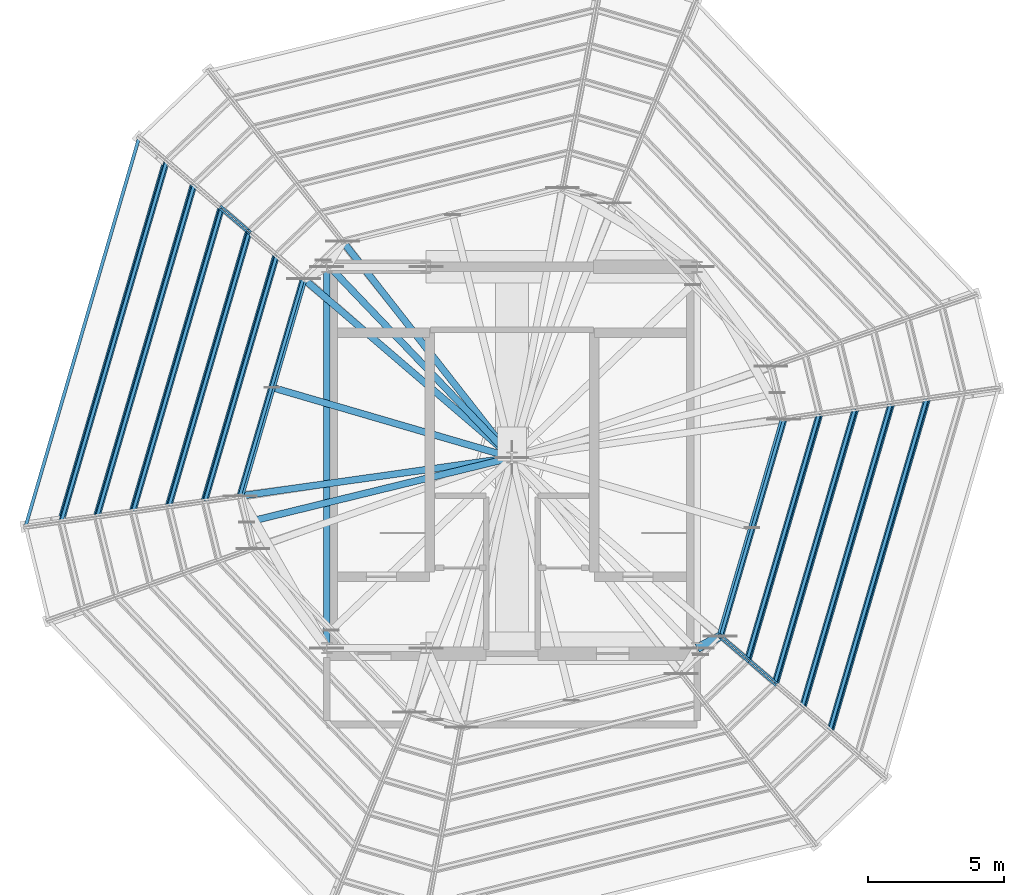
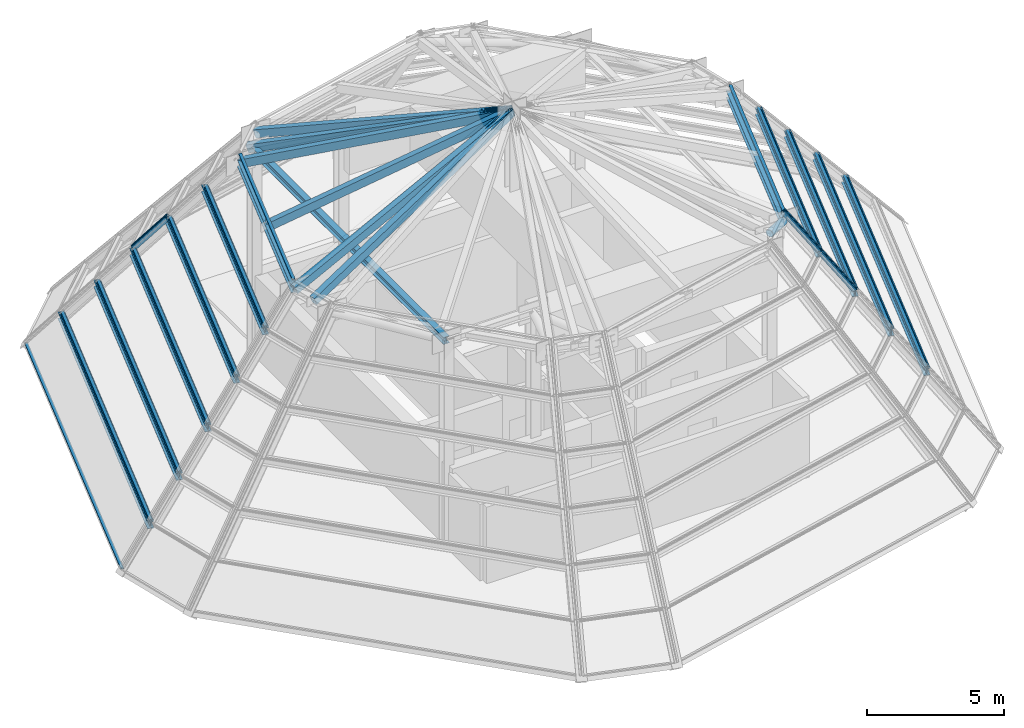
# One storey, part 5 of 13: 34 members, 12 beams, 14 elements without a shape of their own.
"""IFC4 building model written with IfcOpenShell, lengths in metres."""

from ifc_helpers import new_model, si_unit, direction, frame, origin, origin_2d, place, context, subcontext, project, spatial, hollow_rectangle, hollow_circle, i_section, extrude, source, transform, mapped, material, layer, layer_set, material_profile, profile_set, type_object, element, aggregate, save


model = new_model("IFC4")

# Units and contexts
model_context = context("Model", 3, precision=1e-05, world=origin(), true_north=direction((0.0, 1.0)))
body_context = subcontext(model_context, "Body", "Model", "MODEL_VIEW")
ifc_project = project(units=[si_unit("LENGTHUNIT", "METRE"), si_unit("AREAUNIT", "SQUARE_METRE"), si_unit("VOLUMEUNIT", "CUBIC_METRE"), si_unit("PLANEANGLEUNIT", "RADIAN"), si_unit("MASSUNIT", "GRAM", prefix="KILO")], contexts=[model_context])

# Site, building, storey
site_placement = place(None, origin())
site = spatial("IfcSite", under=ifc_project, at=site_placement, CompositionType="ELEMENT")
building_placement = place(site_placement, origin())
building = spatial("IfcBuilding", under=site, at=building_placement, Name="Veraguas Prism Commons", CompositionType="ELEMENT")
storey_placement = place(building_placement, frame((0.0, 0.0, 268.89990234375)))
storey = spatial("IfcBuildingStorey", under=building, at=storey_placement, Name="RF", CompositionType="ELEMENT", Elevation=268.89990234375)

# Member
ifc_material_1 = material(Name="Steel ASTM A500 Grade C", Category="steel")
ifc_material_profile_1 = material_profile(ifc_material_1, hollow_circle(Radius=0.162109375, WallThickness=0.01611328125, at=origin_2d()), Name="CHS324X16")
ifc_profile_set_1 = profile_set([ifc_material_profile_1], Name="Steel ASTM A500 Grade C")
member_type_1 = type_object("IfcMemberType", Name="Crown Apex Collar Strut CHS 324x16", PredefinedType="STRUT", material=ifc_profile_set_1)
member_1_placement = place(storey_placement, frame((31.647705078125, 17.440673828125, 9.067138671875), z_axis=(-0.887262821216, -0.461264225892, 0.0), x_axis=(0.461264225892, -0.887262821216, 0.0)))
element("IfcMember", 1, at=member_1_placement, inside=storey, type_object=member_type_1, Name="Crown Apex Collar Strut 12", PredefinedType="STRUT", context=body_context, shape_type="SweptSolid", body=[
    extrude(hollow_circle(Radius=0.162109375, WallThickness=0.01611328125, at=origin_2d()), origin(), (0.0, 0.0, 1.0), 0.955322265625),
])

# Beams
ifc_material_2 = material(Name="Steel ASTM A992 Grade 50", Category="steel")
ifc_material_profile_2 = material_profile(ifc_material_2, i_section(OverallWidth=0.25390625, OverallDepth=0.305908203125, WebThickness=0.0087890625, FlangeThickness=0.0146484375, at=origin_2d()), Name="W310X79")
ifc_profile_set_2 = profile_set([ifc_material_profile_2], Name="Steel ASTM A992 Grade 50")
beam_type = type_object("IfcBeamType", Name="Crown Ring Spandrel W310x79", PredefinedType="SPANDREL", material=ifc_profile_set_2)
beam_1_placement = place(storey_placement, frame((17.199951171875, 17.0, 9.067138671875), z_axis=(0.0, 1.0, 0.0), x_axis=(-1.0, 0.0, 0.0)))
element("IfcBeam", 2, at=beam_1_placement, inside=storey, type_object=beam_type, Name="Crown Apex Ring Beam 5", PredefinedType="SPANDREL", context=body_context, shape_type="SweptSolid", body=[
    extrude(i_section(OverallWidth=0.25390625, OverallDepth=0.305908203125, WebThickness=0.0087890625, FlangeThickness=0.0146484375, at=origin_2d()), origin(), (0.0, 0.0, 1.0), 14.0),
])
beam_2_placement = place(storey_placement, frame((11.302001953125, 34.89111328125, 1.430419921875), z_axis=(-0.28033787531, -0.959901388512, 0.0), x_axis=(0.959901388512, -0.28033787531, 0.0)))
element("IfcBeam", 3, at=beam_2_placement, inside=storey, type_object=beam_type, Name="Crown Facet Ring Beam T1-V06", PredefinedType="SPANDREL", context=body_context, shape_type="SweptSolid", body=[
    extrude(i_section(OverallWidth=0.25390625, OverallDepth=0.305908203125, WebThickness=0.0087890625, FlangeThickness=0.0146484375, at=origin_2d()), origin(), (0.0, 0.0, 1.0), 13.78955078125),
])
beam_3_placement = place(storey_placement, frame((12.31201171875, 34.02490234375, 3.013916015625), z_axis=(-0.280325711049, -0.959904940984, 0.0), x_axis=(0.959904940984, -0.280325711049, 0.0)))
element("IfcBeam", 4, at=beam_3_placement, inside=storey, type_object=beam_type, Name="Crown Facet Ring Beam T2-V06", PredefinedType="SPANDREL", context=body_context, shape_type="SweptSolid", body=[
    extrude(i_section(OverallWidth=0.25390625, OverallDepth=0.305908203125, WebThickness=0.0087890625, FlangeThickness=0.0146484375, at=origin_2d()), origin(), (0.0, 0.0, 1.0), 12.69287109375),
])
beam_4_placement = place(storey_placement, frame((13.322021484375, 33.158447265625, 4.59716796875), z_axis=(-0.280336310594, -0.959901845483, 0.0), x_axis=(0.959901845483, -0.280336310594, 0.0)))
element("IfcBeam", 5, at=beam_4_placement, inside=storey, type_object=beam_type, Name="Crown Facet Ring Beam T3-V06", PredefinedType="SPANDREL", context=body_context, shape_type="SweptSolid", body=[
    extrude(i_section(OverallWidth=0.25390625, OverallDepth=0.305908203125, WebThickness=0.0087890625, FlangeThickness=0.0146484375, at=origin_2d()), origin(), (0.0, 0.0, 1.0), 11.595947265625),
])
beam_5_placement = place(storey_placement, frame((14.33203125, 32.2919921875, 6.180419921875), z_axis=(-0.280333956025, -0.959902533125, 0.0), x_axis=(0.959902533125, -0.280333956025, 0.0)))
element("IfcBeam", 6, at=beam_5_placement, inside=storey, type_object=beam_type, Name="Crown Facet Ring Beam T4-V06", PredefinedType="SPANDREL", context=body_context, shape_type="SweptSolid", body=[
    extrude(i_section(OverallWidth=0.25390625, OverallDepth=0.305908203125, WebThickness=0.0087890625, FlangeThickness=0.0146484375, at=origin_2d()), origin(), (0.0, 0.0, 1.0), 10.49853515625),
])
beam_6_placement = place(storey_placement, frame((15.34228515625, 31.42578125, 7.763916015625), z_axis=(-0.280341003298, -0.959900474982, 0.0), x_axis=(0.959900474982, -0.280341003298, 0.0)))
element("IfcBeam", 7, at=beam_6_placement, inside=storey, type_object=beam_type, Name="Crown Facet Ring Beam T5-V06", PredefinedType="SPANDREL", context=body_context, shape_type="SweptSolid", body=[
    extrude(i_section(OverallWidth=0.25390625, OverallDepth=0.305908203125, WebThickness=0.0087890625, FlangeThickness=0.0146484375, at=origin_2d()), origin(), (0.0, 0.0, 1.0), 9.40185546875),
])
beam_7_placement = place(storey_placement, frame((16.352294921875, 30.559326171875, 9.067138671875), z_axis=(-0.280330736022, -0.959903473502, 0.0), x_axis=(0.959903473502, -0.280330736022, 0.0)))
element("IfcBeam", 8, at=beam_7_placement, inside=storey, type_object=beam_type, Name="Crown Facet Ring Beam T6-V06", PredefinedType="SPANDREL", context=body_context, shape_type="SweptSolid", body=[
    extrude(i_section(OverallWidth=0.25390625, OverallDepth=0.305908203125, WebThickness=0.0087890625, FlangeThickness=0.0146484375, at=origin_2d()), origin(), (0.0, 0.0, 1.0), 8.304931640625),
])
beam_8_placement = place(storey_placement, frame((35.68798828125, 13.97509765625, 3.013916015625), z_axis=(0.280325711049, 0.959904940984, 0.0), x_axis=(-0.959904940984, 0.280325711049, 0.0)))
element("IfcBeam", 9, at=beam_8_placement, inside=storey, type_object=beam_type, Name="Crown Facet Ring Beam T2-V12", PredefinedType="SPANDREL", context=body_context, shape_type="SweptSolid", body=[
    extrude(i_section(OverallWidth=0.25390625, OverallDepth=0.305908203125, WebThickness=0.0087890625, FlangeThickness=0.0146484375, at=origin_2d()), origin(), (0.0, 0.0, 1.0), 12.69287109375),
])
beam_9_placement = place(storey_placement, frame((34.677978515625, 14.841552734375, 4.59716796875), z_axis=(0.280336310594, 0.959901845483, 0.0), x_axis=(-0.959901845483, 0.280336310594, 0.0)))
element("IfcBeam", 10, at=beam_9_placement, inside=storey, type_object=beam_type, Name="Crown Facet Ring Beam T3-V12", PredefinedType="SPANDREL", context=body_context, shape_type="SweptSolid", body=[
    extrude(i_section(OverallWidth=0.25390625, OverallDepth=0.305908203125, WebThickness=0.0087890625, FlangeThickness=0.0146484375, at=origin_2d()), origin(), (0.0, 0.0, 1.0), 11.595947265625),
])
beam_10_placement = place(storey_placement, frame((33.66796875, 15.7080078125, 6.180419921875), z_axis=(0.280333956025, 0.959902533125, 0.0), x_axis=(-0.959902533125, 0.280333956025, 0.0)))
element("IfcBeam", 11, at=beam_10_placement, inside=storey, type_object=beam_type, Name="Crown Facet Ring Beam T4-V12", PredefinedType="SPANDREL", context=body_context, shape_type="SweptSolid", body=[
    extrude(i_section(OverallWidth=0.25390625, OverallDepth=0.305908203125, WebThickness=0.0087890625, FlangeThickness=0.0146484375, at=origin_2d()), origin(), (0.0, 0.0, 1.0), 10.49853515625),
])
beam_11_placement = place(storey_placement, frame((32.65771484375, 16.57421875, 7.763916015625), z_axis=(0.280341003298, 0.959900474982, 0.0), x_axis=(-0.959900474982, 0.280341003298, 0.0)))
element("IfcBeam", 12, at=beam_11_placement, inside=storey, type_object=beam_type, Name="Crown Facet Ring Beam T5-V12", PredefinedType="SPANDREL", context=body_context, shape_type="SweptSolid", body=[
    extrude(i_section(OverallWidth=0.25390625, OverallDepth=0.305908203125, WebThickness=0.0087890625, FlangeThickness=0.0146484375, at=origin_2d()), origin(), (0.0, 0.0, 1.0), 9.40185546875),
])
beam_12_placement = place(storey_placement, frame((31.647705078125, 17.440673828125, 9.067138671875), z_axis=(0.280330736022, 0.959903473502, 0.0), x_axis=(-0.959903473502, 0.280330736022, 0.0)))
element("IfcBeam", 13, at=beam_12_placement, inside=storey, type_object=beam_type, Name="Crown Facet Ring Beam T6-V12", PredefinedType="SPANDREL", context=body_context, shape_type="SweptSolid", body=[
    extrude(i_section(OverallWidth=0.25390625, OverallDepth=0.305908203125, WebThickness=0.0087890625, FlangeThickness=0.0146484375, at=origin_2d()), origin(), (0.0, 0.0, 1.0), 8.304931640625),
])

# Members
ifc_material_profile_3 = material_profile(ifc_material_1, hollow_rectangle(XDim=0.25, YDim=0.35009765625, WallThickness=0.01611328125, at=origin_2d()), Name="HSS350X250X16")
ifc_profile_set_3 = profile_set([ifc_material_profile_3], Name="Steel ASTM A500 Grade C")
member_type_2 = type_object("IfcMemberType", Name="Glass Point Crown Rib HSS 350x250x16", PredefinedType="RAFTER", material=ifc_profile_set_3)
member_2_placement = place(storey_placement, frame((17.788818359375, 31.93310546875, 9.067138671875), z_axis=(0.580837256523, -0.741862576685, 0.335064171091), x_axis=(0.787376639644, 0.616472243774, 0.0)))
element("IfcMember", 14, at=member_2_placement, inside=storey, type_object=member_type_2, Name="Crown Pyramidal Hip Rafter 05", PredefinedType="RAFTER", context=body_context, shape_type="SweptSolid", body=[
    extrude(hollow_rectangle(XDim=0.25, YDim=0.35009765625, WallThickness=0.01611328125, at=origin_2d()), origin(), (0.0, 0.0, 1.0), 10.693603515625),
])
member_3_placement = place(storey_placement, frame((17.070556640625, 31.24609375, 9.067138671875), z_axis=(0.650828414762, -0.680568909211, 0.336523898638), x_axis=(0.722721706456, 0.691139157491, 0.0)))
element("IfcMember", 15, at=member_3_placement, inside=storey, type_object=member_type_2, Name="Crown Pyramidal Mid Rafter 05", PredefinedType="RAFTER", context=body_context, shape_type="SweptSolid", body=[
    extrude(hollow_rectangle(XDim=0.25, YDim=0.35009765625, WallThickness=0.01611328125, at=origin_2d()), origin(), (0.0, 0.0, 1.0), 10.647216796875),
])
member_4_placement = place(storey_placement, frame((16.352294921875, 30.559326171875, 9.067138671875), z_axis=(0.715175884153, -0.613396024886, 0.335065324049), x_axis=(0.651028810726, 0.759053020285, 0.0)))
element("IfcMember", 16, at=member_4_placement, inside=storey, type_object=member_type_2, Name="Crown Pyramidal Hip Rafter 06", PredefinedType="RAFTER", context=body_context, shape_type="SweptSolid", body=[
    extrude(hollow_rectangle(XDim=0.25, YDim=0.35009765625, WallThickness=0.01611328125, at=origin_2d()), origin(), (0.0, 0.0, 1.0), 10.693359375),
])
member_5_placement = place(storey_placement, frame((15.188232421875, 26.573486328125, 9.067138671875), z_axis=(0.894201663487, -0.261152570715, 0.36359691944), x_axis=(0.280340060642, 0.959900750286, 0.0)))
element("IfcMember", 17, at=member_5_placement, inside=storey, type_object=member_type_2, Name="Crown Pyramidal Mid Rafter 06", PredefinedType="RAFTER", context=body_context, shape_type="SweptSolid", body=[
    extrude(hollow_rectangle(XDim=0.25, YDim=0.35009765625, WallThickness=0.01611328125, at=origin_2d()), origin(), (0.0, 0.0, 1.0), 9.854248046875),
])
member_6_placement = place(storey_placement, frame((14.024169921875, 22.58740234375, 9.067138671875), z_axis=(0.932888822786, 0.132098938563, 0.335064642647), x_axis=(-0.140203374759, 0.990122726588, 0.0)))
element("IfcMember", 18, at=member_6_placement, inside=storey, type_object=member_type_2, Name="Crown Pyramidal Hip Rafter 07", PredefinedType="RAFTER", context=body_context, shape_type="SweptSolid", body=[
    extrude(hollow_rectangle(XDim=0.25, YDim=0.35009765625, WallThickness=0.01611328125, at=origin_2d()), origin(), (0.0, 0.0, 1.0), 10.693603515625),
])
member_7_placement = place(storey_placement, frame((14.259765625, 21.6220703125, 9.067138671875), z_axis=(0.914809280623, 0.223336735344, 0.336518473091), x_axis=(-0.237169185892, 0.971468361432, 0.0)))
element("IfcMember", 19, at=member_7_placement, inside=storey, type_object=member_type_2, Name="Crown Pyramidal Mid Rafter 07", PredefinedType="RAFTER", context=body_context, shape_type="SweptSolid", body=[
    extrude(hollow_rectangle(XDim=0.25, YDim=0.35009765625, WallThickness=0.01611328125, at=origin_2d()), origin(), (0.0, 0.0, 1.0), 10.647216796875),
])

# Curtain wall, member
ifc_material_3 = material(Name="Anodised aluminium EN AW-6063 T6", Category="aluminium")
ifc_layer = layer(ifc_material_3, 0.199951171875, Name="Faceted Glass Point Crown Curtain Wall", Category="aluminium")
ifc_layer_set = layer_set([ifc_layer], Name="Anodised aluminium EN AW-6063 T6")
curtain_wall_type = type_object("IfcCurtainWallType", Name="Faceted Glass Point Crown Curtain Wall", PredefinedType="NOTDEFINED", material=ifc_layer_set)
curtain_wall_1_placement = place(storey_placement, origin())
curtain_wall_1 = element("IfcCurtainWall", 20, at=curtain_wall_1_placement, inside=storey, type_object=curtain_wall_type, Name="Crown Glass-Point Facet T4-F05", PredefinedType="NOTDEFINED")
ifc_material_profile_4 = material_profile(ifc_material_3, hollow_rectangle(XDim=0.06494140625, YDim=0.199951171875, WallThickness=0.00390625, at=origin_2d()), Name="AL65X200X4")
ifc_profile_set_4 = profile_set([ifc_material_profile_4], Name="Anodised aluminium EN AW-6063 T6")
member_type_3 = type_object("IfcMemberType", Name="Curtain Wall Mullion Heavy AL 65x200x4", PredefinedType="MULLION", material=ifc_profile_set_4)
shared_shape_1 = source(origin(), body_context, "Body", "SweptSolid", [
    extrude(hollow_rectangle(XDim=0.06494140625, YDim=0.199951171875, WallThickness=0.00390625, at=origin_2d()), origin(), (0.0, 0.0, 1.0), 2.068359375),
])
member_8_placement = place(storey_placement, frame((13.360107421875, 33.194580078125, 4.75), z_axis=(0.488326405053, -0.418801567592, 0.765599483484), x_axis=(0.651002894994, 0.759075247066, 0.0)))
member_8 = element("IfcMember", 21, at=member_8_placement, type_object=member_type_3, Name="CW-CRN Mullion 2", PredefinedType="MULLION", context=body_context, shape_type="MappedRepresentation", body=[
    mapped(shared_shape_1, transform((0.0, 0.0, 0.0), scale=1.0)),
])
aggregate(curtain_wall_1, [member_8])

curtain_wall_2_placement = place(storey_placement, origin())
curtain_wall_2 = element("IfcCurtainWall", 22, at=curtain_wall_2_placement, inside=storey, type_object=curtain_wall_type, Name="Crown Glass-Point Facet T4-F06", PredefinedType="NOTDEFINED")
member_9_placement = place(storey_placement, frame((13.307373046875, 33.10791015625, 4.75), z_axis=(0.488326405053, -0.418801567592, 0.765599483484), x_axis=(0.651002894994, 0.759075247066, 0.0)))
member_9 = element("IfcMember", 23, at=member_9_placement, type_object=member_type_3, Name="CW-CRN Mullion 1", PredefinedType="MULLION", context=body_context, shape_type="MappedRepresentation", body=[
    mapped(shared_shape_1, transform((0.0, 0.0, 0.0), scale=1.0)),
])

curtain_wall_3_placement = place(storey_placement, origin())
curtain_wall_3 = element("IfcCurtainWall", 24, at=curtain_wall_3_placement, inside=storey, type_object=curtain_wall_type, Name="Crown Glass-Point Facet T6-F11", PredefinedType="NOTDEFINED")
member_10_placement = place(storey_placement, frame((32.619873046875, 16.537841796875, 7.916748046875), z_axis=(-0.488436273944, 0.418912599378, 0.765468641016), x_axis=(-0.65101794313, -0.759062341131, 0.0)))
member_10 = element("IfcMember", 25, at=member_10_placement, type_object=member_type_3, Name="CW-CRN Mullion 2", PredefinedType="MULLION", context=body_context, shape_type="MappedRepresentation", body=[
    mapped(shared_shape_1, transform((0.0, 0.0, 0.0), scale=1.0)),
])
aggregate(curtain_wall_3, [member_10])

curtain_wall_4_placement = place(storey_placement, origin())
curtain_wall_4 = element("IfcCurtainWall", 26, at=curtain_wall_4_placement, inside=storey, type_object=curtain_wall_type, Name="Crown Glass-Point Facet T6-F12", PredefinedType="NOTDEFINED")
member_11_placement = place(storey_placement, frame((32.672607421875, 16.62451171875, 7.916748046875), z_axis=(-0.488436273944, 0.418912599378, 0.765468641016), x_axis=(-0.65101794313, -0.759062341131, 0.0)))
member_11 = element("IfcMember", 27, at=member_11_placement, type_object=member_type_3, Name="CW-CRN Mullion 1", PredefinedType="MULLION", context=body_context, shape_type="MappedRepresentation", body=[
    mapped(shared_shape_1, transform((0.0, 0.0, 0.0), scale=1.0)),
])

# Curtain wall, members
curtain_wall_5_placement = place(storey_placement, origin())
curtain_wall_5 = element("IfcCurtainWall", 28, at=curtain_wall_5_placement, inside=storey, type_object=curtain_wall_type, Name="Crown Glass-Point Facet T1-F06", PredefinedType="NOTDEFINED")
ifc_material_profile_5 = material_profile(ifc_material_3, hollow_rectangle(XDim=0.050048828125, YDim=0.1201171875, WallThickness=0.0029296875, at=origin_2d()), Name="AL50X120X3")
ifc_profile_set_5 = profile_set([ifc_material_profile_5], Name="Anodised aluminium EN AW-6063 T6")
member_type_4 = type_object("IfcMemberType", Name="Curtain Wall Transom Crown AL 50x120x3", PredefinedType="USERDEFINED", material=ifc_profile_set_5)
shared_shape_2 = source(origin(), body_context, "Body", "SweptSolid", [
    extrude(hollow_rectangle(XDim=0.050048828125, YDim=0.1201171875, WallThickness=0.0029296875, at=origin_2d()), origin(), (0.0, 0.0, 1.0), 14.76416015625),
])
member_12_placement = place(storey_placement, frame((10.293212890625, 35.693359375, 0.025146484375), z_axis=(-0.280335889845, -0.959901968362, 0.0), x_axis=(0.0, 0.0, 1.0)))
member_12 = element("IfcMember", 29, at=member_12_placement, type_object=member_type_4, Name="CW-CRN Transom 1", ObjectType="TRANSOM", PredefinedType="USERDEFINED", context=body_context, shape_type="MappedRepresentation", body=[
    mapped(shared_shape_2, transform((0.0, 0.0, 0.0), scale=1.0)),
])
shared_shape_3 = source(origin(), body_context, "Body", "SweptSolid", [
    extrude(hollow_rectangle(XDim=0.050048828125, YDim=0.1201171875, WallThickness=0.0029296875, at=origin_2d()), origin(), (0.0, 0.0, 1.0), 13.701904296875),
])
member_13_placement = place(storey_placement, frame((11.271240234375, 34.8544921875, 1.558349609375), z_axis=(-0.280329087365, -0.959903954975, 0.0), x_axis=(0.0, 0.0, 1.0)))
member_13 = element("IfcMember", 30, at=member_13_placement, type_object=member_type_4, Name="CW-CRN Transom 2", ObjectType="TRANSOM", PredefinedType="USERDEFINED", context=body_context, shape_type="MappedRepresentation", body=[
    mapped(shared_shape_3, transform((0.0, 0.0, 0.0), scale=1.0)),
])
aggregate(curtain_wall_5, [member_12, member_13])

# Curtain wall, member
curtain_wall_6_placement = place(storey_placement, origin())
curtain_wall_6 = element("IfcCurtainWall", 31, at=curtain_wall_6_placement, inside=storey, type_object=curtain_wall_type, Name="Crown Glass-Point Facet T5-F11", PredefinedType="NOTDEFINED")
shared_shape_4 = source(origin(), body_context, "Body", "SweptSolid", [
    extrude(hollow_rectangle(XDim=0.06494140625, YDim=0.199951171875, WallThickness=0.00390625, at=origin_2d()), origin(), (0.0, 0.0, 1.0), 2.068115234375),
])
member_14_placement = place(storey_placement, frame((33.6298828125, 15.671630859375, 6.33349609375), z_axis=(-0.488370537897, 0.41883941708, 0.765550625638), x_axis=(-0.651002894994, -0.759075247066, 0.0)))
member_14 = element("IfcMember", 32, at=member_14_placement, type_object=member_type_3, Name="CW-CRN Mullion 2", PredefinedType="MULLION", context=body_context, shape_type="MappedRepresentation", body=[
    mapped(shared_shape_4, transform((0.0, 0.0, 0.0), scale=1.0)),
])
aggregate(curtain_wall_6, [member_14])

curtain_wall_7_placement = place(storey_placement, origin())
curtain_wall_7 = element("IfcCurtainWall", 33, at=curtain_wall_7_placement, inside=storey, type_object=curtain_wall_type, Name="Crown Glass-Point Facet T5-F12", PredefinedType="NOTDEFINED")
member_15_placement = place(storey_placement, frame((33.6826171875, 15.75830078125, 6.33349609375), z_axis=(-0.488370537897, 0.41883941708, 0.765550625638), x_axis=(-0.651002894994, -0.759075247066, 0.0)))
member_15 = element("IfcMember", 34, at=member_15_placement, type_object=member_type_3, Name="CW-CRN Mullion 1", PredefinedType="MULLION", context=body_context, shape_type="MappedRepresentation", body=[
    mapped(shared_shape_4, transform((0.0, 0.0, 0.0), scale=1.0)),
])

# Curtain wall, members
curtain_wall_8_placement = place(storey_placement, origin())
curtain_wall_8 = element("IfcCurtainWall", 35, at=curtain_wall_8_placement, inside=storey, type_object=curtain_wall_type, Name="Crown Glass-Point Facet T2-F06", PredefinedType="NOTDEFINED")
shared_shape_5 = source(origin(), body_context, "Body", "SweptSolid", [
    extrude(hollow_rectangle(XDim=0.050048828125, YDim=0.1201171875, WallThickness=0.0029296875, at=origin_2d()), origin(), (0.0, 0.0, 1.0), 13.667236328125),
])
member_16_placement = place(storey_placement, frame((11.30322265625, 34.826904296875, 1.6083984375), z_axis=(-0.280329240433, -0.959903910273, 0.0), x_axis=(0.0, 0.0, 1.0)))
member_16 = element("IfcMember", 36, at=member_16_placement, type_object=member_type_4, Name="CW-CRN Transom 1", ObjectType="TRANSOM", PredefinedType="USERDEFINED", context=body_context, shape_type="MappedRepresentation", body=[
    mapped(shared_shape_5, transform((0.0, 0.0, 0.0), scale=1.0)),
])
shared_shape_6 = source(origin(), body_context, "Body", "SweptSolid", [
    extrude(hollow_rectangle(XDim=0.050048828125, YDim=0.1201171875, WallThickness=0.0029296875, at=origin_2d()), origin(), (0.0, 0.0, 1.0), 12.604736328125),
])
member_17_placement = place(storey_placement, frame((12.28125, 33.988037109375, 3.141845703125), z_axis=(-0.280326497448, -0.959904711327, 0.0), x_axis=(0.0, 0.0, 1.0)))
member_17 = element("IfcMember", 37, at=member_17_placement, type_object=member_type_4, Name="CW-CRN Transom 2", ObjectType="TRANSOM", PredefinedType="USERDEFINED", context=body_context, shape_type="MappedRepresentation", body=[
    mapped(shared_shape_6, transform((0.0, 0.0, 0.0), scale=1.0)),
])
aggregate(curtain_wall_8, [member_16, member_17])

# Curtain wall, member
curtain_wall_9_placement = place(storey_placement, origin())
curtain_wall_9 = element("IfcCurtainWall", 38, at=curtain_wall_9_placement, inside=storey, type_object=curtain_wall_type, Name="Crown Glass-Point Facet T2-F12", PredefinedType="NOTDEFINED")
member_18_placement = place(storey_placement, frame((35.71875, 14.011962890625, 3.141845703125), z_axis=(0.280326497448, 0.959904711327, 0.0), x_axis=(0.0, 0.0, 1.0)))
member_18 = element("IfcMember", 39, at=member_18_placement, type_object=member_type_4, Name="CW-CRN Transom 2", ObjectType="TRANSOM", PredefinedType="USERDEFINED", context=body_context, shape_type="MappedRepresentation", body=[
    mapped(shared_shape_6, transform((0.0, 0.0, 0.0), scale=1.0)),
])
aggregate(curtain_wall_9, [member_18])

curtain_wall_10_placement = place(storey_placement, origin())
curtain_wall_10 = element("IfcCurtainWall", 40, at=curtain_wall_10_placement, inside=storey, type_object=curtain_wall_type, Name="Crown Glass-Point Facet T3-F06", PredefinedType="NOTDEFINED")
shared_shape_7 = source(origin(), body_context, "Body", "SweptSolid", [
    extrude(hollow_rectangle(XDim=0.050048828125, YDim=0.1201171875, WallThickness=0.0029296875, at=origin_2d()), origin(), (0.0, 0.0, 1.0), 12.5703125),
])
member_19_placement = place(storey_placement, frame((12.313232421875, 33.960693359375, 3.19189453125), z_axis=(-0.280339326328, -0.959900964743, 0.0), x_axis=(0.0, 0.0, 1.0)))
member_19 = element("IfcMember", 41, at=member_19_placement, type_object=member_type_4, Name="CW-CRN Transom 1", ObjectType="TRANSOM", PredefinedType="USERDEFINED", context=body_context, shape_type="MappedRepresentation", body=[
    mapped(shared_shape_7, transform((0.0, 0.0, 0.0), scale=1.0)),
])

curtain_wall_11_placement = place(storey_placement, origin())
curtain_wall_11 = element("IfcCurtainWall", 42, at=curtain_wall_11_placement, inside=storey, type_object=curtain_wall_type, Name="Crown Glass-Point Facet T3-F12", PredefinedType="NOTDEFINED")
member_20_placement = place(storey_placement, frame((35.686767578125, 14.039306640625, 3.19189453125), z_axis=(0.280339326328, 0.959900964743, 0.0), x_axis=(0.0, 0.0, 1.0)))
member_20 = element("IfcMember", 43, at=member_20_placement, type_object=member_type_4, Name="CW-CRN Transom 1", ObjectType="TRANSOM", PredefinedType="USERDEFINED", context=body_context, shape_type="MappedRepresentation", body=[
    mapped(shared_shape_7, transform((0.0, 0.0, 0.0), scale=1.0)),
])

# Member
shared_shape_8 = source(origin(), body_context, "Body", "SweptSolid", [
    extrude(hollow_rectangle(XDim=0.050048828125, YDim=0.1201171875, WallThickness=0.0029296875, at=origin_2d()), origin(), (0.0, 0.0, 1.0), 11.5078125),
])
member_21_placement = place(storey_placement, frame((13.29150390625, 33.12158203125, 4.72509765625), z_axis=(-0.280337253003, -0.959901570255, 0.0), x_axis=(0.0, 0.0, 1.0)))
member_21 = element("IfcMember", 44, at=member_21_placement, type_object=member_type_4, Name="CW-CRN Transom 2", ObjectType="TRANSOM", PredefinedType="USERDEFINED", context=body_context, shape_type="MappedRepresentation", body=[
    mapped(shared_shape_8, transform((0.0, 0.0, 0.0), scale=1.0)),
])

aggregate(curtain_wall_10, [member_19, member_21])

member_22_placement = place(storey_placement, frame((34.70849609375, 14.87841796875, 4.72509765625), z_axis=(0.280337253003, 0.959901570255, 0.0), x_axis=(0.0, 0.0, 1.0)))
member_22 = element("IfcMember", 45, at=member_22_placement, type_object=member_type_4, Name="CW-CRN Transom 2", ObjectType="TRANSOM", PredefinedType="USERDEFINED", context=body_context, shape_type="MappedRepresentation", body=[
    mapped(shared_shape_8, transform((0.0, 0.0, 0.0), scale=1.0)),
])

aggregate(curtain_wall_11, [member_20, member_22])

shared_shape_9 = source(origin(), body_context, "Body", "SweptSolid", [
    extrude(hollow_rectangle(XDim=0.050048828125, YDim=0.1201171875, WallThickness=0.0029296875, at=origin_2d()), origin(), (0.0, 0.0, 1.0), 10.4111328125),
])
member_23_placement = place(storey_placement, frame((14.301513671875, 32.25537109375, 6.308349609375), z_axis=(-0.280343964422, -0.959899610174, 0.0), x_axis=(0.0, 0.0, 1.0)))
member_23 = element("IfcMember", 46, at=member_23_placement, type_object=member_type_4, Name="CW-CRN Transom 2", ObjectType="TRANSOM", PredefinedType="USERDEFINED", context=body_context, shape_type="MappedRepresentation", body=[
    mapped(shared_shape_9, transform((0.0, 0.0, 0.0), scale=1.0)),
])

# Curtain wall, member
curtain_wall_12_placement = place(storey_placement, origin())
curtain_wall_12 = element("IfcCurtainWall", 47, at=curtain_wall_12_placement, inside=storey, type_object=curtain_wall_type, Name="Crown Glass-Point Facet T4-F12", PredefinedType="NOTDEFINED")
member_24_placement = place(storey_placement, frame((33.698486328125, 15.74462890625, 6.308349609375), z_axis=(0.280343964422, 0.959899610174, 0.0), x_axis=(0.0, 0.0, 1.0)))
member_24 = element("IfcMember", 48, at=member_24_placement, type_object=member_type_4, Name="CW-CRN Transom 2", ObjectType="TRANSOM", PredefinedType="USERDEFINED", context=body_context, shape_type="MappedRepresentation", body=[
    mapped(shared_shape_9, transform((0.0, 0.0, 0.0), scale=1.0)),
])

# Member
shared_shape_10 = source(origin(), body_context, "Body", "SweptSolid", [
    extrude(hollow_rectangle(XDim=0.050048828125, YDim=0.1201171875, WallThickness=0.0029296875, at=origin_2d()), origin(), (0.0, 0.0, 1.0), 11.47314453125),
])
member_25_placement = place(storey_placement, frame((13.3232421875, 33.09423828125, 4.775146484375), z_axis=(-0.280331733992, -0.959903182054, 0.0), x_axis=(0.0, 0.0, 1.0)))
member_25 = element("IfcMember", 49, at=member_25_placement, type_object=member_type_4, Name="CW-CRN Transom 1", ObjectType="TRANSOM", PredefinedType="USERDEFINED", context=body_context, shape_type="MappedRepresentation", body=[
    mapped(shared_shape_10, transform((0.0, 0.0, 0.0), scale=1.0)),
])

aggregate(curtain_wall_2, [member_9, member_25, member_23])

member_26_placement = place(storey_placement, frame((34.6767578125, 14.90576171875, 4.775146484375), z_axis=(0.280331733992, 0.959903182054, 0.0), x_axis=(0.0, 0.0, 1.0)))
member_26 = element("IfcMember", 50, at=member_26_placement, type_object=member_type_4, Name="CW-CRN Transom 1", ObjectType="TRANSOM", PredefinedType="USERDEFINED", context=body_context, shape_type="MappedRepresentation", body=[
    mapped(shared_shape_10, transform((0.0, 0.0, 0.0), scale=1.0)),
])

aggregate(curtain_wall_12, [member_26, member_24])

# Curtain wall, member
curtain_wall_13_placement = place(storey_placement, origin())
curtain_wall_13 = element("IfcCurtainWall", 51, at=curtain_wall_13_placement, inside=storey, type_object=curtain_wall_type, Name="Crown Glass-Point Facet T5-F06", PredefinedType="NOTDEFINED")
shared_shape_11 = source(origin(), body_context, "Body", "SweptSolid", [
    extrude(hollow_rectangle(XDim=0.050048828125, YDim=0.1201171875, WallThickness=0.0029296875, at=origin_2d()), origin(), (0.0, 0.0, 1.0), 10.37646484375),
])
member_27_placement = place(storey_placement, frame((14.333251953125, 32.22802734375, 6.3583984375), z_axis=(-0.280316205206, -0.95990771697, 0.0), x_axis=(0.0, 0.0, 1.0)))
member_27 = element("IfcMember", 52, at=member_27_placement, type_object=member_type_4, Name="CW-CRN Transom 1", ObjectType="TRANSOM", PredefinedType="USERDEFINED", context=body_context, shape_type="MappedRepresentation", body=[
    mapped(shared_shape_11, transform((0.0, 0.0, 0.0), scale=1.0)),
])

# Member
member_28_placement = place(storey_placement, frame((33.666748046875, 15.77197265625, 6.3583984375), z_axis=(0.280316205206, 0.95990771697, 0.0), x_axis=(0.0, 0.0, 1.0)))
member_28 = element("IfcMember", 53, at=member_28_placement, type_object=member_type_4, Name="CW-CRN Transom 1", ObjectType="TRANSOM", PredefinedType="USERDEFINED", context=body_context, shape_type="MappedRepresentation", body=[
    mapped(shared_shape_11, transform((0.0, 0.0, 0.0), scale=1.0)),
])

shared_shape_12 = source(origin(), body_context, "Body", "SweptSolid", [
    extrude(hollow_rectangle(XDim=0.050048828125, YDim=0.1201171875, WallThickness=0.0029296875, at=origin_2d()), origin(), (0.0, 0.0, 1.0), 9.314453125),
])
member_29_placement = place(storey_placement, frame((15.3115234375, 31.38916015625, 7.891845703125), z_axis=(-0.280328105136, -0.959904241823, 0.0), x_axis=(0.0, 0.0, 1.0)))
member_29 = element("IfcMember", 54, at=member_29_placement, type_object=member_type_4, Name="CW-CRN Transom 2", ObjectType="TRANSOM", PredefinedType="USERDEFINED", context=body_context, shape_type="MappedRepresentation", body=[
    mapped(shared_shape_12, transform((0.0, 0.0, 0.0), scale=1.0)),
])

aggregate(curtain_wall_13, [member_27, member_29])

member_30_placement = place(storey_placement, frame((32.6884765625, 16.61083984375, 7.891845703125), z_axis=(0.280328105136, 0.959904241823, 0.0), x_axis=(0.0, 0.0, 1.0)))
member_30 = element("IfcMember", 55, at=member_30_placement, type_object=member_type_4, Name="CW-CRN Transom 2", ObjectType="TRANSOM", PredefinedType="USERDEFINED", context=body_context, shape_type="MappedRepresentation", body=[
    mapped(shared_shape_12, transform((0.0, 0.0, 0.0), scale=1.0)),
])

aggregate(curtain_wall_7, [member_15, member_28, member_30])

# Curtain wall, member
curtain_wall_14_placement = place(storey_placement, origin())
curtain_wall_14 = element("IfcCurtainWall", 56, at=curtain_wall_14_placement, inside=storey, type_object=curtain_wall_type, Name="Crown Glass-Point Facet T6-F06", PredefinedType="NOTDEFINED")
shared_shape_13 = source(origin(), body_context, "Body", "SweptSolid", [
    extrude(hollow_rectangle(XDim=0.050048828125, YDim=0.1201171875, WallThickness=0.0029296875, at=origin_2d()), origin(), (0.0, 0.0, 1.0), 8.21728515625),
])
member_31_placement = place(storey_placement, frame((16.321533203125, 30.522705078125, 9.47509765625), z_axis=(-0.280316006588, -0.959907774971, 0.0), x_axis=(0.0, 0.0, 1.0)))
member_31 = element("IfcMember", 57, at=member_31_placement, type_object=member_type_4, Name="CW-CRN Transom 2", ObjectType="TRANSOM", PredefinedType="USERDEFINED", context=body_context, shape_type="MappedRepresentation", body=[
    mapped(shared_shape_13, transform((0.0, 0.0, 0.0), scale=1.0)),
])

# Member
member_32_placement = place(storey_placement, frame((31.678466796875, 17.477294921875, 9.47509765625), z_axis=(0.280316006588, 0.959907774971, 0.0), x_axis=(0.0, 0.0, 1.0)))
member_32 = element("IfcMember", 58, at=member_32_placement, type_object=member_type_4, Name="CW-CRN Transom 2", ObjectType="TRANSOM", PredefinedType="USERDEFINED", context=body_context, shape_type="MappedRepresentation", body=[
    mapped(shared_shape_13, transform((0.0, 0.0, 0.0), scale=1.0)),
])

shared_shape_14 = source(origin(), body_context, "Body", "SweptSolid", [
    extrude(hollow_rectangle(XDim=0.050048828125, YDim=0.1201171875, WallThickness=0.0029296875, at=origin_2d()), origin(), (0.0, 0.0, 1.0), 9.27978515625),
])
member_33_placement = place(storey_placement, frame((15.343505859375, 31.36181640625, 7.94189453125), z_axis=(-0.280321247467, -0.959906244494, 0.0), x_axis=(0.0, 0.0, 1.0)))
member_33 = element("IfcMember", 59, at=member_33_placement, type_object=member_type_4, Name="CW-CRN Transom 1", ObjectType="TRANSOM", PredefinedType="USERDEFINED", context=body_context, shape_type="MappedRepresentation", body=[
    mapped(shared_shape_14, transform((0.0, 0.0, 0.0), scale=1.0)),
])

aggregate(curtain_wall_14, [member_33, member_31])

member_34_placement = place(storey_placement, frame((32.656494140625, 16.63818359375, 7.94189453125), z_axis=(0.280321247467, 0.959906244494, 0.0), x_axis=(0.0, 0.0, 1.0)))
member_34 = element("IfcMember", 60, at=member_34_placement, type_object=member_type_4, Name="CW-CRN Transom 1", ObjectType="TRANSOM", PredefinedType="USERDEFINED", context=body_context, shape_type="MappedRepresentation", body=[
    mapped(shared_shape_14, transform((0.0, 0.0, 0.0), scale=1.0)),
])

aggregate(curtain_wall_4, [member_11, member_34, member_32])

save(model, "model.ifc")
